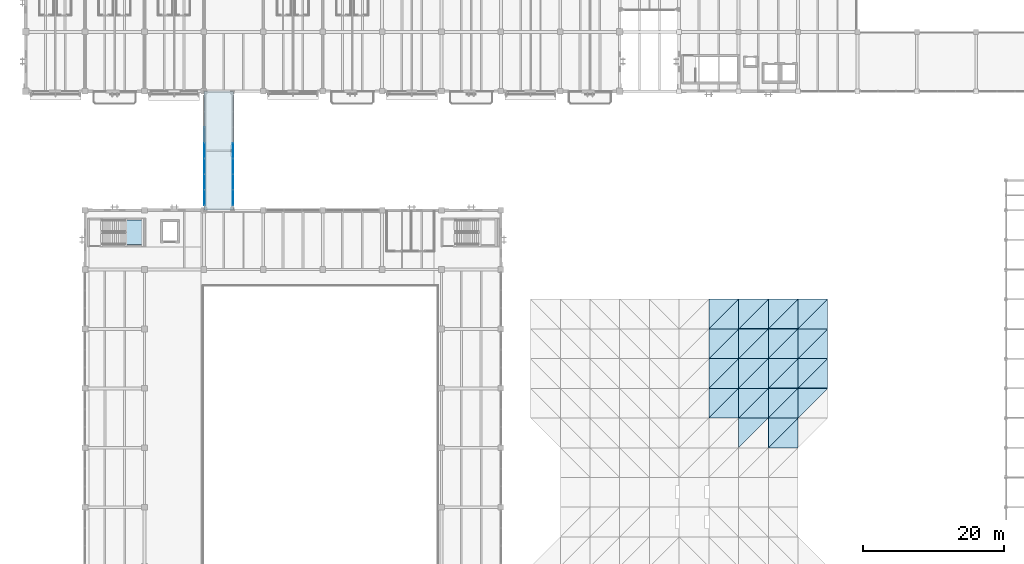
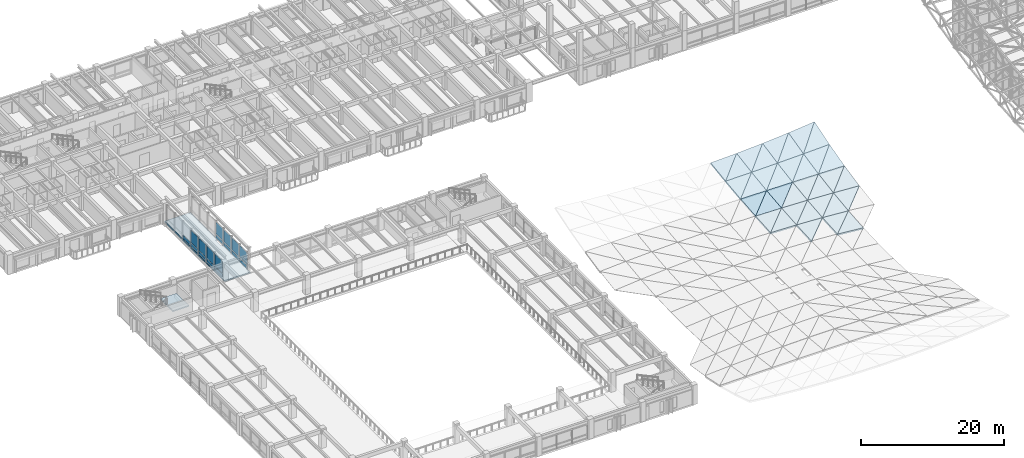
# One storey, part 66 of 123: 36 slabs, 17 plates, 3 elements without a shape of their own.
"""IFC4 building model written with IfcOpenShell, lengths in metres."""

from ifc_helpers import new_model, si_unit, direction, frame, origin, origin_2d, place, context, subcontext, project, spatial, polyline, rectangle, outline, extrude, material, layer, layer_set, type_object, element, aggregate, save


model = new_model("IFC4")

# Units and contexts
model_context = context("Model", 3, precision=1e-05, world=origin(), true_north=direction((0.0, 1.0)))
body_context = subcontext(model_context, "Body", "Model", "MODEL_VIEW")
ifc_project = project(units=[si_unit("LENGTHUNIT", "METRE"), si_unit("AREAUNIT", "SQUARE_METRE"), si_unit("VOLUMEUNIT", "CUBIC_METRE"), si_unit("PLANEANGLEUNIT", "RADIAN"), si_unit("MASSUNIT", "GRAM", prefix="KILO")], contexts=[model_context])

# Site, building, storey
site_placement = place(None, origin())
site = spatial("IfcSite", under=ifc_project, at=site_placement, CompositionType="ELEMENT")
building_placement = place(site_placement, origin())
building = spatial("IfcBuilding", under=site, at=building_placement, Name="Cumbredor Promenade Congress Hotel", CompositionType="ELEMENT")
storey_placement = place(building_placement, frame((0.0, 0.0, 11.760009765625)))
storey = spatial("IfcBuildingStorey", under=building, at=storey_placement, Name="L03", CompositionType="ELEMENT", Elevation=11.760009765625)

# Stair, slab
ifc_material_1 = material(Name="Concrete C40/50", Category="concrete")
stair_type = type_object("IfcStairType", Name="Protected Dog-Leg Exit Stair ST-T3 1650mm", PredefinedType="HALF_TURN_STAIR", material=ifc_material_1)
stair_placement = place(storey_placement, origin())
stair = element("IfcStair", 1, at=stair_placement, inside=storey, type_object=stair_type, Name="L03 Protected Exit Stair ST-06", PredefinedType="HALF_TURN_STAIR")
ifc_layer_1 = layer(ifc_material_1, 0.199951171875, Name="Concrete C40/50", Category="concrete")
ifc_layer_set_1 = layer_set([ifc_layer_1], Name="Concrete C40/50")
slab_type_1 = type_object("IfcSlabType", Name="Concrete Stair Landing Slab 200mm", PredefinedType="LANDING", material=ifc_layer_set_1)
slab_1_placement = place(storey_placement, frame((0.0, 0.0, 1.47998046875)))
slab_1 = element("IfcSlab", 2, at=slab_1_placement, type_object=slab_type_1, Name="ST-06 landing 1", PredefinedType="LANDING", context=body_context, shape_type="SweptSolid", body=[
    extrude(outline(polyline([(14.050048828125, 62.35009765625), (16.64990234375, 62.35009765625), (16.64990234375, 65.800048828125), (14.050048828125, 65.800048828125), (14.050048828125, 62.35009765625)])), origin(), (0.0, 0.0, 1.0), 0.199951171875),
])
aggregate(stair, [slab_1])

# Curtain wall, plates
ifc_material_2 = material(Name="Thermally broken anodized aluminium and low-E glass", Category="aluminium")
curtain_wall_type = type_object("IfcCurtainWallType", Name="Unitised Bridge Glazing Screen CW-05", PredefinedType="NOTDEFINED", material=ifc_material_2)
curtain_wall_1_placement = place(storey_placement, origin())
curtain_wall_1 = element("IfcCurtainWall", 3, at=curtain_wall_1_placement, inside=storey, type_object=curtain_wall_type, Name="L03 West Congress-to-Hotel Glazed Bridge West Glazing Screen", PredefinedType="NOTDEFINED")
ifc_material_3 = material(Name="Laminated low-E solar-control glass", Category="glass")
ifc_layer_2 = layer(ifc_material_3, 0.030029296875, Name="Laminated low-E solar-control glass", Category="glass")
ifc_layer_set_2 = layer_set([ifc_layer_2], Name="Laminated low-E solar-control glass")
plate_type_1 = type_object("IfcPlateType", Name="Glazed Bridge Panel PNL-04", PredefinedType="CURTAIN_PANEL", material=ifc_layer_set_2)
plate_1_placement = place(storey_placement, frame((25.280029296875, 68.9658203125, 0.78515625), z_axis=(0.0, 0.0, 1.0), x_axis=(0.0, 1.0, 0.0)))
plate_1 = element("IfcPlate", 4, at=plate_1_placement, type_object=plate_type_1, Name="L03 West Congress-to-Hotel Glazed Bridge West Glazing Screen Glazing Panel 1.2", PredefinedType="CURTAIN_PANEL", context=body_context, shape_type="SweptSolid", body=[
    extrude(rectangle(XDim=2.146484375, YDim=0.030029296875, at=origin_2d()), origin(), (0.0, 0.0, 1.0), 2.070068359375),
])
plate_2_placement = place(storey_placement, frame((25.280029296875, 71.177001953125, 0.78515625), z_axis=(0.0, 0.0, 1.0), x_axis=(0.0, 1.0, 0.0)))
plate_2 = element("IfcPlate", 5, at=plate_2_placement, type_object=plate_type_1, Name="L03 West Congress-to-Hotel Glazed Bridge West Glazing Screen Glazing Panel 2.2", PredefinedType="CURTAIN_PANEL", context=body_context, shape_type="SweptSolid", body=[
    extrude(rectangle(XDim=2.146484375, YDim=0.030029296875, at=origin_2d()), origin(), (0.0, 0.0, 1.0), 2.070068359375),
])
plate_3_placement = place(storey_placement, frame((25.280029296875, 73.388671875, 0.78515625), z_axis=(0.0, 0.0, 1.0), x_axis=(0.0, 1.0, 0.0)))
plate_3 = element("IfcPlate", 6, at=plate_3_placement, type_object=plate_type_1, Name="L03 West Congress-to-Hotel Glazed Bridge West Glazing Screen Glazing Panel 3.2", PredefinedType="CURTAIN_PANEL", context=body_context, shape_type="SweptSolid", body=[
    extrude(rectangle(XDim=2.146484375, YDim=0.030029296875, at=origin_2d()), origin(), (0.0, 0.0, 1.0), 2.070068359375),
])
plate_4_placement = place(storey_placement, frame((25.280029296875, 75.60009765625, 0.78515625), z_axis=(0.0, 0.0, 1.0), x_axis=(0.0, 1.0, 0.0)))
plate_4 = element("IfcPlate", 7, at=plate_4_placement, type_object=plate_type_1, Name="L03 West Congress-to-Hotel Glazed Bridge West Glazing Screen Glazing Panel 4.2", PredefinedType="CURTAIN_PANEL", context=body_context, shape_type="SweptSolid", body=[
    extrude(rectangle(XDim=2.146484375, YDim=0.030029296875, at=origin_2d()), origin(), (0.0, 0.0, 1.0), 2.070068359375),
])

curtain_wall_2_placement = place(storey_placement, origin())
curtain_wall_2 = element("IfcCurtainWall", 8, at=curtain_wall_2_placement, inside=storey, type_object=curtain_wall_type, Name="L03 West Congress-to-Hotel Glazed Bridge East Glazing Screen", PredefinedType="NOTDEFINED")
plate_5_placement = place(storey_placement, frame((29.320068359375, 68.9658203125, 0.78515625), z_axis=(0.0, 0.0, 1.0), x_axis=(0.0, 1.0, 0.0)))
plate_5 = element("IfcPlate", 9, at=plate_5_placement, type_object=plate_type_1, Name="L03 West Congress-to-Hotel Glazed Bridge East Glazing Screen Glazing Panel 1.2", PredefinedType="CURTAIN_PANEL", context=body_context, shape_type="SweptSolid", body=[
    extrude(rectangle(XDim=2.146484375, YDim=0.030029296875, at=origin_2d()), origin(), (0.0, 0.0, 1.0), 2.070068359375),
])
plate_6_placement = place(storey_placement, frame((29.320068359375, 71.177001953125, 0.78515625), z_axis=(0.0, 0.0, 1.0), x_axis=(0.0, 1.0, 0.0)))
plate_6 = element("IfcPlate", 10, at=plate_6_placement, type_object=plate_type_1, Name="L03 West Congress-to-Hotel Glazed Bridge East Glazing Screen Glazing Panel 2.2", PredefinedType="CURTAIN_PANEL", context=body_context, shape_type="SweptSolid", body=[
    extrude(rectangle(XDim=2.146484375, YDim=0.030029296875, at=origin_2d()), origin(), (0.0, 0.0, 1.0), 2.070068359375),
])
plate_7_placement = place(storey_placement, frame((29.320068359375, 73.388671875, 0.78515625), z_axis=(0.0, 0.0, 1.0), x_axis=(0.0, 1.0, 0.0)))
plate_7 = element("IfcPlate", 11, at=plate_7_placement, type_object=plate_type_1, Name="L03 West Congress-to-Hotel Glazed Bridge East Glazing Screen Glazing Panel 3.2", PredefinedType="CURTAIN_PANEL", context=body_context, shape_type="SweptSolid", body=[
    extrude(rectangle(XDim=2.146484375, YDim=0.030029296875, at=origin_2d()), origin(), (0.0, 0.0, 1.0), 2.070068359375),
])
plate_8_placement = place(storey_placement, frame((29.320068359375, 75.60009765625, 0.78515625), z_axis=(0.0, 0.0, 1.0), x_axis=(0.0, 1.0, 0.0)))
plate_8 = element("IfcPlate", 12, at=plate_8_placement, type_object=plate_type_1, Name="L03 West Congress-to-Hotel Glazed Bridge East Glazing Screen Glazing Panel 4.2", PredefinedType="CURTAIN_PANEL", context=body_context, shape_type="SweptSolid", body=[
    extrude(rectangle(XDim=2.146484375, YDim=0.030029296875, at=origin_2d()), origin(), (0.0, 0.0, 1.0), 2.070068359375),
])

# Plate
ifc_material_4 = material(Name="Thermally broken anodized aluminium", Category="aluminium")
ifc_layer_3 = layer(ifc_material_4, 0.0400390625, Name="Thermally broken anodized aluminium", Category="aluminium")
ifc_layer_set_3 = layer_set([ifc_layer_3], Name="Thermally broken anodized aluminium")
plate_type_2 = type_object("IfcPlateType", Name="Insulated Spandrel Panel PNL-06", PredefinedType="CURTAIN_PANEL", material=ifc_layer_set_3)
plate_9_placement = place(storey_placement, frame((25.280029296875, 68.9658203125, 0.125), z_axis=(0.0, 0.0, 1.0), x_axis=(0.0, 1.0, 0.0)))
plate_9 = element("IfcPlate", 13, at=plate_9_placement, type_object=plate_type_2, Name="L03 West Congress-to-Hotel Glazed Bridge West Glazing Screen Spandrel Panel 1.1", PredefinedType="CURTAIN_PANEL", context=body_context, shape_type="SweptSolid", body=[
    extrude(rectangle(XDim=2.146484375, YDim=0.0400390625, at=origin_2d()), origin(), (0.0, 0.0, 1.0), 0.530029296875),
])

plate_10_placement = place(storey_placement, frame((25.280029296875, 71.177001953125, 0.125), z_axis=(0.0, 0.0, 1.0), x_axis=(0.0, 1.0, 0.0)))
plate_10 = element("IfcPlate", 14, at=plate_10_placement, type_object=plate_type_2, Name="L03 West Congress-to-Hotel Glazed Bridge West Glazing Screen Spandrel Panel 2.1", PredefinedType="CURTAIN_PANEL", context=body_context, shape_type="SweptSolid", body=[
    extrude(rectangle(XDim=2.146484375, YDim=0.0400390625, at=origin_2d()), origin(), (0.0, 0.0, 1.0), 0.530029296875),
])

plate_11_placement = place(storey_placement, frame((25.280029296875, 73.388671875, 0.125), z_axis=(0.0, 0.0, 1.0), x_axis=(0.0, 1.0, 0.0)))
plate_11 = element("IfcPlate", 15, at=plate_11_placement, type_object=plate_type_2, Name="L03 West Congress-to-Hotel Glazed Bridge West Glazing Screen Spandrel Panel 3.1", PredefinedType="CURTAIN_PANEL", context=body_context, shape_type="SweptSolid", body=[
    extrude(rectangle(XDim=2.146484375, YDim=0.0400390625, at=origin_2d()), origin(), (0.0, 0.0, 1.0), 0.530029296875),
])

plate_12_placement = place(storey_placement, frame((25.280029296875, 75.60009765625, 0.125), z_axis=(0.0, 0.0, 1.0), x_axis=(0.0, 1.0, 0.0)))
plate_12 = element("IfcPlate", 16, at=plate_12_placement, type_object=plate_type_2, Name="L03 West Congress-to-Hotel Glazed Bridge West Glazing Screen Spandrel Panel 4.1", PredefinedType="CURTAIN_PANEL", context=body_context, shape_type="SweptSolid", body=[
    extrude(rectangle(XDim=2.146484375, YDim=0.0400390625, at=origin_2d()), origin(), (0.0, 0.0, 1.0), 0.530029296875),
])

plate_13_placement = place(storey_placement, frame((25.280029296875, 77.811279296875, 0.125), z_axis=(0.0, 0.0, 1.0), x_axis=(0.0, 1.0, 0.0)))
plate_13 = element("IfcPlate", 17, at=plate_13_placement, type_object=plate_type_2, Name="L03 West Congress-to-Hotel Glazed Bridge West Glazing Screen Spandrel Panel 5.1", PredefinedType="CURTAIN_PANEL", context=body_context, shape_type="SweptSolid", body=[
    extrude(rectangle(XDim=2.146484375, YDim=0.0400390625, at=origin_2d()), origin(), (0.0, 0.0, 1.0), 0.530029296875),
])

aggregate(curtain_wall_1, [plate_9, plate_1, plate_10, plate_2, plate_11, plate_3, plate_12, plate_4, plate_13])

plate_14_placement = place(storey_placement, frame((29.320068359375, 68.9658203125, 0.125), z_axis=(0.0, 0.0, 1.0), x_axis=(0.0, 1.0, 0.0)))
plate_14 = element("IfcPlate", 18, at=plate_14_placement, type_object=plate_type_2, Name="L03 West Congress-to-Hotel Glazed Bridge East Glazing Screen Spandrel Panel 1.1", PredefinedType="CURTAIN_PANEL", context=body_context, shape_type="SweptSolid", body=[
    extrude(rectangle(XDim=2.146484375, YDim=0.0400390625, at=origin_2d()), origin(), (0.0, 0.0, 1.0), 0.530029296875),
])

plate_15_placement = place(storey_placement, frame((29.320068359375, 71.177001953125, 0.125), z_axis=(0.0, 0.0, 1.0), x_axis=(0.0, 1.0, 0.0)))
plate_15 = element("IfcPlate", 19, at=plate_15_placement, type_object=plate_type_2, Name="L03 West Congress-to-Hotel Glazed Bridge East Glazing Screen Spandrel Panel 2.1", PredefinedType="CURTAIN_PANEL", context=body_context, shape_type="SweptSolid", body=[
    extrude(rectangle(XDim=2.146484375, YDim=0.0400390625, at=origin_2d()), origin(), (0.0, 0.0, 1.0), 0.530029296875),
])

plate_16_placement = place(storey_placement, frame((29.320068359375, 73.388671875, 0.125), z_axis=(0.0, 0.0, 1.0), x_axis=(0.0, 1.0, 0.0)))
plate_16 = element("IfcPlate", 20, at=plate_16_placement, type_object=plate_type_2, Name="L03 West Congress-to-Hotel Glazed Bridge East Glazing Screen Spandrel Panel 3.1", PredefinedType="CURTAIN_PANEL", context=body_context, shape_type="SweptSolid", body=[
    extrude(rectangle(XDim=2.146484375, YDim=0.0400390625, at=origin_2d()), origin(), (0.0, 0.0, 1.0), 0.530029296875),
])

plate_17_placement = place(storey_placement, frame((29.320068359375, 75.60009765625, 0.125), z_axis=(0.0, 0.0, 1.0), x_axis=(0.0, 1.0, 0.0)))
plate_17 = element("IfcPlate", 21, at=plate_17_placement, type_object=plate_type_2, Name="L03 West Congress-to-Hotel Glazed Bridge East Glazing Screen Spandrel Panel 4.1", PredefinedType="CURTAIN_PANEL", context=body_context, shape_type="SweptSolid", body=[
    extrude(rectangle(XDim=2.146484375, YDim=0.0400390625, at=origin_2d()), origin(), (0.0, 0.0, 1.0), 0.530029296875),
])

aggregate(curtain_wall_2, [plate_14, plate_5, plate_15, plate_6, plate_16, plate_7, plate_17, plate_8])

# Slabs
ifc_layer_4 = layer(ifc_material_1, 0.219970703125, Name="Concrete C40/50", Category="concrete")
ifc_layer_set_4 = layer_set([ifc_layer_4], Name="Concrete C40/50")
slab_type_2 = type_object("IfcSlabType", Name="Link Bridge Deck Slab 220mm", PredefinedType="FLOOR", material=ifc_layer_set_4)
slab_2_placement = place(storey_placement, frame((0.0, 0.0, -0.219970703125)))
element("IfcSlab", 22, at=slab_2_placement, inside=storey, type_object=slab_type_2, Name="L03 West Congress-to-Hotel Glazed Bridge Floor Deck", PredefinedType="FLOOR", context=body_context, shape_type="SweptSolid", body=[
    extrude(outline(polyline([(25.199951171875, 67.199951171875), (29.39990234375, 67.199951171875), (29.39990234375, 74.800048828125), (29.050048828125, 74.800048828125), (29.050048828125, 76.39990234375), (29.39990234375, 76.39990234375), (29.39990234375, 84.0), (25.199951171875, 84.0), (25.199951171875, 67.199951171875)])), origin(), (0.0, 0.0, 1.0), 0.219970703125),
])
ifc_layer_5 = layer(ifc_material_1, 0.2451171875, Name="Concrete C40/50", Category="concrete")
ifc_layer_set_5 = layer_set([ifc_layer_5], Name="Concrete C40/50")
slab_type_3 = type_object("IfcSlabType", Name="Spa Catenary Roof Deck 245mm", PredefinedType="ROOF", material=ifc_layer_set_5)
slab_3_placement = place(storey_placement, frame((96.60009765625, 37.800048828125, 0.99169921875), z_axis=(0.031269074977, -0.081878651885, 0.996151660801), x_axis=(0.999507701685, 0.0, -0.031374420677)))
element("IfcSlab", 23, at=slab_3_placement, inside=storey, type_object=slab_type_3, Name="Thermal Spa and Hydrotherapy Pavilion Sweeping Roof Deck Facet 7.10.1", PredefinedType="ROOF", context=body_context, shape_type="SweptSolid", body=[
    extrude(outline(polyline([(0.0, 0.0), (4.202019819152533, -1.734723475976807e-18), (4.191188903420709, 4.214100832413), (0.0, 0.0)])), origin(), (0.0, 0.0, -1.0), 0.2451171875),
])
slab_4_placement = place(storey_placement, frame((96.60009765625, 37.800048828125, 0.99169921875), z_axis=(0.020463395145, -0.071129138365, 0.997257186053), x_axis=(0.706650933896, 0.706650933896, 0.035901465804)))
element("IfcSlab", 24, at=slab_4_placement, inside=storey, type_object=slab_type_3, Name="Thermal Spa and Hydrotherapy Pavilion Sweeping Roof Deck Facet 7.10.2", PredefinedType="ROOF", context=body_context, shape_type="SweptSolid", body=[
    extrude(outline(polyline([(0.0, 0.0), (5.943459451354978, -3.0704605524789486e-16), (2.9786540806543256, 2.976062202841125), (0.0, 0.0)])), origin(), (0.0, 0.0, -1.0), 0.2451171875),
])
slab_5_placement = place(storey_placement, frame((96.60009765625, 42.0, 1.291259765625), z_axis=(0.020393220577, -0.108956413619, 0.993837318924), x_axis=(0.999789537892, 0.0, -0.020515358186)))
element("IfcSlab", 25, at=slab_5_placement, inside=storey, type_object=slab_type_3, Name="Thermal Spa and Hydrotherapy Pavilion Sweeping Roof Deck Facet 7.11.1", PredefinedType="ROOF", context=body_context, shape_type="SweptSolid", body=[
    extrude(outline(polyline([(0.0, 0.0), (4.200835288524772, -1.734723475976807e-18), (4.191389007875594, 4.2251052172654315), (0.0, 0.0)])), origin(), (0.0, 0.0, -1.0), 0.2451171875),
])
slab_6_placement = place(storey_placement, frame((96.60009765625, 42.0, 1.291259765625), z_axis=(0.005844663075, -0.094556232315, 0.995502365062), x_axis=(0.705707161596, 0.705707161596, 0.062887233548)))
element("IfcSlab", 26, at=slab_6_placement, inside=storey, type_object=slab_type_3, Name="Thermal Spa and Hydrotherapy Pavilion Sweeping Roof Deck Facet 7.11.2", PredefinedType="ROOF", context=body_context, shape_type="SweptSolid", body=[
    extrude(outline(polyline([(0.0, 0.0), (5.95140789328911, 2.5326962749261384e-16), (2.9890229591208577, 2.9773265482523916), (0.0, 0.0)])), origin(), (0.0, 0.0, -1.0), 0.2451171875),
])
slab_7_placement = place(storey_placement, frame((96.60009765625, 46.199951171875, 1.690185546875), z_axis=(0.005816583131, -0.135797059638, 0.990719600066), x_axis=(0.99998276572, 0.0, -0.005870967816)))
element("IfcSlab", 27, at=slab_7_placement, inside=storey, type_object=slab_type_3, Name="Thermal Spa and Hydrotherapy Pavilion Sweeping Roof Deck Facet 7.12.1", PredefinedType="ROOF", context=body_context, shape_type="SweptSolid", body=[
    extrude(outline(polyline([(0.0, 0.0), (4.20002355625722, 4.336808689942018e-19), (4.196643736406146, 4.239220449925302), (0.0, 0.0)])), origin(), (0.0, 0.0, -1.0), 0.2451171875),
])
slab_8_placement = place(storey_placement, frame((96.60009765625, 46.199951171875, 1.690185546875), z_axis=(-0.012294149294, -0.117977658011, 0.992940142256), x_axis=(0.704083438031, 0.704083438031, 0.092374371891)))
element("IfcSlab", 28, at=slab_8_placement, inside=storey, type_object=slab_type_3, Name="Thermal Spa and Hydrotherapy Pavilion Sweeping Roof Deck Facet 7.12.2", PredefinedType="ROOF", context=body_context, shape_type="SweptSolid", body=[
    extrude(outline(polyline([(0.0, 0.0), (5.965132745663068, 4.579669976578771e-16), (3.003213037251918, 2.9781413146774307), (0.0, 0.0)])), origin(), (0.0, 0.0, -1.0), 0.2451171875),
])
slab_9_placement = place(storey_placement, frame((96.60009765625, 50.39990234375, 2.189208984375), z_axis=(-0.012216570905, -0.162247278008, 0.986674503661), x_axis=(0.999923357281, 0.0, 0.012380612399)))
element("IfcSlab", 29, at=slab_9_placement, inside=storey, type_object=slab_type_3, Name="Thermal Spa and Hydrotherapy Pavilion Sweeping Roof Deck Facet 7.13.1", PredefinedType="ROOF", context=body_context, shape_type="SweptSolid", body=[
    extrude(outline(polyline([(0.0, 0.0), (4.200273092224242, 1.734723475976807e-18), (4.208824057184428, 4.256594634329427), (0.0, 0.0)])), origin(), (0.0, 0.0, -1.0), 0.2451171875),
])
slab_10_placement = place(storey_placement, frame((96.60009765625, 50.39990234375, 2.189208984375), z_axis=(-0.033875947566, -0.141074480883, 0.989419229154), x_axis=(0.701623104217, 0.701663889145, 0.124067748825)))
element("IfcSlab", 30, at=slab_10_placement, inside=storey, type_object=slab_type_3, Name="Thermal Spa and Hydrotherapy Pavilion Sweeping Roof Deck Facet 7.13.2", PredefinedType="ROOF", context=body_context, shape_type="SweptSolid", body=[
    extrude(outline(polyline([(0.0, 0.0), (5.986050269195579, 2.914335439641036e-16), (3.021426693533632, 2.97846856685339), (0.0, 0.0)])), origin(), (0.0, 0.0, -1.0), 0.2451171875),
])
slab_11_placement = place(storey_placement, frame((100.800048828125, 33.60009765625, 0.62939453125), z_axis=(0.052282348828, -0.054716781922, 0.997132202758), x_axis=(0.707105727493, 0.707105727493, 0.001726352413)))
element("IfcSlab", 31, at=slab_11_placement, inside=storey, type_object=slab_type_3, Name="Thermal Spa and Hydrotherapy Pavilion Sweeping Roof Deck Facet 8.9.2", PredefinedType="ROOF", context=body_context, shape_type="SweptSolid", body=[
    extrude(outline(polyline([(0.0, 0.0), (5.93963675950489, -2.806999424564971e-16), (2.97020739910715, 2.9783508351350894), (0.0, 0.0)])), origin(), (0.0, 0.0, -1.0), 0.2451171875),
])
slab_12_placement = place(storey_placement, frame((100.800048828125, 37.800048828125, 0.85986328125), z_axis=(0.052099032144, -0.099866104852, 0.993635975572), x_axis=(0.998628232976, 0.0, -0.052360789754)))
element("IfcSlab", 32, at=slab_12_placement, inside=storey, type_object=slab_type_3, Name="Thermal Spa and Hydrotherapy Pavilion Sweeping Roof Deck Facet 8.10.1", PredefinedType="ROOF", context=body_context, shape_type="SweptSolid", body=[
    extrude(outline(polyline([(0.0, 0.0), (4.2057204404884105, 0.0), (4.183617948914856, 4.221052699846617), (0.0, 0.0)])), origin(), (0.0, 0.0, -1.0), 0.2451171875),
])
slab_13_placement = place(storey_placement, frame((100.800048828125, 37.800048828125, 0.85986328125), z_axis=(0.033987624499, -0.081871381671, 0.996063209964), x_axis=(0.706698601416, 0.706698601416, 0.033973129301)))
element("IfcSlab", 33, at=slab_13_placement, inside=storey, type_object=slab_type_3, Name="Thermal Spa and Hydrotherapy Pavilion Sweeping Roof Deck Facet 8.10.2", PredefinedType="ROOF", context=body_context, shape_type="SweptSolid", body=[
    extrude(outline(polyline([(0.0, 0.0), (5.943058559139811, 7.28583859910259e-17), (2.979827647701247, 2.9798305865392383), (0.0, 0.0)])), origin(), (0.0, 0.0, -1.0), 0.2451171875),
])
slab_14_placement = place(storey_placement, frame((100.800048828125, 42.0, 1.205078125), z_axis=(0.033800401142, -0.132725595626, 0.990576321718), x_axis=(0.999418353939, 0.0, -0.034102108572)))
element("IfcSlab", 34, at=slab_14_placement, inside=storey, type_object=slab_type_3, Name="Thermal Spa and Hydrotherapy Pavilion Sweeping Roof Deck Facet 8.11.1", PredefinedType="ROOF", context=body_context, shape_type="SweptSolid", body=[
    extrude(outline(polyline([(0.0, 0.0), (4.202395478650219, 0.0), (4.183204716868423, 4.237440563430263), (0.0, 0.0)])), origin(), (0.0, 0.0, -1.0), 0.2451171875),
])
slab_15_placement = place(storey_placement, frame((100.800048828125, 42.0, 1.205078125), z_axis=(0.009707116848, -0.108973942705, 0.993997209098), x_axis=(0.705350304462, 0.705350304462, 0.070440726796)))
element("IfcSlab", 35, at=slab_15_placement, inside=storey, type_object=slab_type_3, Name="Thermal Spa and Hydrotherapy Pavilion Sweeping Roof Deck Facet 8.11.2", PredefinedType="ROOF", context=body_context, shape_type="SweptSolid", body=[
    extrude(outline(polyline([(0.0, 0.0), (5.954418882799095, 2.2898349882893854e-16), (2.994871215427651, 2.9803271183184874), (0.0, 0.0)])), origin(), (0.0, 0.0, -1.0), 0.2451171875),
])
slab_16_placement = place(storey_placement, frame((100.800048828125, 46.199951171875, 1.66552734375), z_axis=(0.009631159538, -0.165162920406, 0.986219270999), x_axis=(0.999952318586, 0.0, -0.00976527289)))
element("IfcSlab", 36, at=slab_16_placement, inside=storey, type_object=slab_type_3, Name="Thermal Spa and Hydrotherapy Pavilion Sweeping Roof Deck Facet 8.12.1", PredefinedType="ROOF", context=body_context, shape_type="SweptSolid", body=[
    extrude(outline(polyline([(0.0, 0.0), (4.200151441034993, -8.673617379884035e-19), (4.193282849434558, 4.258435254476362), (0.0, 0.0)])), origin(), (0.0, 0.0, -1.0), 0.2451171875),
])
slab_17_placement = place(storey_placement, frame((100.800048828125, 46.199951171875, 1.66552734375), z_axis=(-0.020440500208, -0.135770984479, 0.990529366412), x_axis=(0.702750773455, 0.702750773455, 0.11082734688)))
element("IfcSlab", 37, at=slab_17_placement, inside=storey, type_object=slab_type_3, Name="Thermal Spa and Hydrotherapy Pavilion Sweeping Roof Deck Facet 8.12.2", PredefinedType="ROOF", context=body_context, shape_type="SweptSolid", body=[
    extrude(outline(polyline([(0.0, 0.0), (5.976444751851152, 2.0816681711721685e-16), (3.015320419846652, 2.979738950294625), (0.0, 0.0)])), origin(), (0.0, 0.0, -1.0), 0.2451171875),
])
slab_18_placement = place(storey_placement, frame((100.800048828125, 50.39990234375, 2.2412109375), z_axis=(-0.020227388491, -0.196963429546, 0.980202152709), x_axis=(0.99978714706, 0.0, 0.020631543173)))
element("IfcSlab", 38, at=slab_18_placement, inside=storey, type_object=slab_type_3, Name="Thermal Spa and Hydrotherapy Pavilion Sweeping Roof Deck Facet 8.13.1", PredefinedType="ROOF", context=body_context, shape_type="SweptSolid", body=[
    extrude(outline(polyline([(0.0, 0.0), (4.20084533415502, 0.0), (4.218258235705141, 4.284117594489665), (0.0, 0.0)])), origin(), (0.0, 0.0, -1.0), 0.2451171875),
])
slab_19_placement = place(storey_placement, frame((100.800048828125, 50.39990234375, 2.2412109375), z_axis=(-0.056294555694, -0.162002076363, 0.985183358697), x_axis=(0.698563536249, 0.698604143325, 0.154794175445)))
element("IfcSlab", 39, at=slab_19_placement, inside=storey, type_object=slab_type_3, Name="Thermal Spa and Hydrotherapy Pavilion Sweeping Roof Deck Facet 8.13.2", PredefinedType="ROOF", context=body_context, shape_type="SweptSolid", body=[
    extrude(outline(polyline([(0.0, 0.0), (6.012267966958073, -3.0531133177191805e-16), (3.04118613381487, 2.9782306659317), (0.0, 0.0)])), origin(), (0.0, 0.0, -1.0), 0.2451171875),
])
slab_20_placement = place(storey_placement, frame((105.0, 33.60009765625, 0.3583984375), z_axis=(0.089767614884, -0.083421575271, 0.992462904142), x_axis=(0.995934387325, 0.0, -0.090081608247)))
element("IfcSlab", 40, at=slab_20_placement, inside=storey, type_object=slab_type_3, Name="Thermal Spa and Hydrotherapy Pavilion Sweeping Roof Deck Facet 9.9.1", PredefinedType="ROOF", context=body_context, shape_type="SweptSolid", body=[
    extrude(outline(polyline([(0.0, 0.0), (4.2170962518499735, 0.0), (4.185294980969727, 4.214641957597319), (0.0, 0.0)])), origin(), (0.0, 0.0, -1.0), 0.2451171875),
])
slab_21_placement = place(storey_placement, frame((105.0, 33.60009765625, 0.3583984375), z_axis=(0.073000075678, -0.066637153076, 0.995103250312), x_axis=(0.707099553566, 0.707099553566, -0.004521359698)))
element("IfcSlab", 41, at=slab_21_placement, inside=storey, type_object=slab_type_3, Name="Thermal Spa and Hydrotherapy Pavilion Sweeping Roof Deck Facet 9.9.2", PredefinedType="ROOF", context=body_context, shape_type="SweptSolid", body=[
    extrude(outline(polyline([(0.0, 0.0), (5.939688620497725, 7.168744764474155e-16), (2.968511966216632, 2.9843974458947087), (0.0, 0.0)])), origin(), (0.0, 0.0, -1.0), 0.2451171875),
])
slab_22_placement = place(storey_placement, frame((105.0, 37.800048828125, 0.6396484375), z_axis=(0.072591572305, -0.124705648778, 0.989534721368), x_axis=(0.997320018789, 0.0, -0.073162696257)))
element("IfcSlab", 42, at=slab_22_placement, inside=storey, type_object=slab_type_3, Name="Thermal Spa and Hydrotherapy Pavilion Sweeping Roof Deck Facet 9.10.1", PredefinedType="ROOF", context=body_context, shape_type="SweptSolid", body=[
    extrude(outline(polyline([(0.0, 0.0), (4.211237208470671, 0.0), (4.172512421975205, 4.23299485222104), (0.0, 0.0)])), origin(), (0.0, 0.0, -1.0), 0.2451171875),
])
slab_23_placement = place(storey_placement, frame((105.0, 37.800048828125, 0.6396484375), z_axis=(0.047546844319, -0.099888813886, 0.993861923235), x_axis=(0.706616978007, 0.706616978007, 0.037214147653)))
element("IfcSlab", 43, at=slab_23_placement, inside=storey, type_object=slab_type_3, Name="Thermal Spa and Hydrotherapy Pavilion Sweeping Roof Deck Facet 9.10.2", PredefinedType="ROOF", context=body_context, shape_type="SweptSolid", body=[
    extrude(outline(polyline([(0.0, 0.0), (5.943745059343244, -1.8041124150158794e-16), (2.983465608872107, 2.9860856276559717), (0.0, 0.0)])), origin(), (0.0, 0.0, -1.0), 0.2451171875),
])
slab_24_placement = place(storey_placement, frame((105.0, 42.0, 1.061767578125), z_axis=(0.047126063418, -0.165599727101, 0.985066426456), x_axis=(0.998857604206, 0.0, -0.047785840159)))
element("IfcSlab", 44, at=slab_24_placement, inside=storey, type_object=slab_type_3, Name="Thermal Spa and Hydrotherapy Pavilion Sweeping Roof Deck Facet 9.11.1", PredefinedType="ROOF", context=body_context, shape_type="SweptSolid", body=[
    extrude(outline(polyline([(0.0, 0.0), (4.204754665919911, 0.0), (4.171015249479264, 4.258751544719785), (0.0, 0.0)])), origin(), (0.0, 0.0, -1.0), 0.2451171875),
])
slab_25_placement = place(storey_placement, frame((105.0, 42.0, 1.061767578125), z_axis=(0.01359577095, -0.132789203556, 0.991051049357), x_axis=(0.704563527737, 0.704563527737, 0.084737658483)))
element("IfcSlab", 45, at=slab_25_placement, inside=storey, type_object=slab_type_3, Name="Thermal Spa and Hydrotherapy Pavilion Sweeping Roof Deck Facet 9.11.2", PredefinedType="ROOF", context=body_context, shape_type="SweptSolid", body=[
    extrude(outline(polyline([(0.0, 0.0), (5.961068103204468, 1.6653345369377348e-16), (3.0068180347816837, 2.98585266208056), (0.0, 0.0)])), origin(), (0.0, 0.0, -1.0), 0.2451171875),
])
slab_26_placement = place(storey_placement, frame((105.0, 46.199951171875, 1.62451171875), z_axis=(0.013424269813, -0.205573352129, 0.978549633833), x_axis=(0.999905914145, 0.0, -0.013717246744)))
element("IfcSlab", 46, at=slab_26_placement, inside=storey, type_object=slab_type_3, Name="Thermal Spa and Hydrotherapy Pavilion Sweeping Roof Deck Facet 9.12.1", PredefinedType="ROOF", context=body_context, shape_type="SweptSolid", body=[
    extrude(outline(polyline([(0.0, 0.0), (4.2003463650548625, 0.0), (4.188243306038003, 4.291612679295445), (0.0, 0.0)])), origin(), (0.0, 0.0, -1.0), 0.2451171875),
])
slab_27_placement = place(storey_placement, frame((105.0, 46.199951171875, 1.62451171875), z_axis=(-0.028481942239, -0.165103572615, 0.985864894028), x_axis=(0.700387679443, 0.700387679443, 0.137528895028)))
element("IfcSlab", 47, at=slab_27_placement, inside=storey, type_object=slab_type_3, Name="Thermal Spa and Hydrotherapy Pavilion Sweeping Roof Deck Facet 9.12.2", PredefinedType="ROOF", context=body_context, shape_type="SweptSolid", body=[
    extrude(outline(polyline([(0.0, 0.0), (5.99660915682034, 1.5265566588595902e-16), (3.038327635752192, 2.983769959621926), (0.0, 0.0)])), origin(), (0.0, 0.0, -1.0), 0.2451171875),
])
slab_28_placement = place(storey_placement, frame((105.0, 50.39990234375, 2.327880859375), z_axis=(-0.0280028843, -0.24434899374, 0.969282934818), x_axis=(0.999582936058, 0.0, 0.028878260723)))
element("IfcSlab", 48, at=slab_28_placement, inside=storey, type_object=slab_type_3, Name="Thermal Spa and Hydrotherapy Pavilion Sweeping Roof Deck Facet 9.13.1", PredefinedType="ROOF", context=body_context, shape_type="SweptSolid", body=[
    extrude(outline(polyline([(0.0, 0.0), (4.20170355092259, -3.469446951953614e-18), (4.232280947591628, 4.33149435698387), (0.0, 0.0)])), origin(), (0.0, 0.0, -1.0), 0.2451171875),
])
slab_29_placement = place(storey_placement, frame((105.0, 50.39990234375, 2.327880859375), z_axis=(-0.078234999777, -0.196399908178, 0.977397749577), x_axis=(0.693529329702, 0.693569644143, 0.194880008125)))
element("IfcSlab", 49, at=slab_29_placement, inside=storey, type_object=slab_type_3, Name="Thermal Spa and Hydrotherapy Pavilion Sweeping Roof Deck Facet 9.13.2", PredefinedType="ROOF", context=body_context, shape_type="SweptSolid", body=[
    extrude(outline(polyline([(0.0, 0.0), (6.055909955071179, -7.771561172376096e-16), (3.0776055532038447, 2.980320592058036), (0.0, 0.0)])), origin(), (0.0, 0.0, -1.0), 0.2451171875),
])
slab_30_placement = place(storey_placement, frame((109.199951171875, 37.800048828125, 0.33154296875), z_axis=(0.060847629128, -0.124803841012, 0.990313873122), x_axis=(0.706370631486, 0.706370631486, 0.045618657884)))
element("IfcSlab", 50, at=slab_30_placement, inside=storey, type_object=slab_type_3, Name="Thermal Spa and Hydrotherapy Pavilion Sweeping Roof Deck Facet 10.10.2", PredefinedType="ROOF", context=body_context, shape_type="SweptSolid", body=[
    extrude(outline(polyline([(0.0, 0.0), (5.945817938434727, 3.0531133177191805e-16), (2.99086797454896, 2.9957392721724556), (0.0, 0.0)])), origin(), (0.0, 0.0, -1.0), 0.2451171875),
])
slab_31_placement = place(storey_placement, frame((109.199951171875, 42.0, 0.86083984375), z_axis=(0.060000044606, -0.206906492516, 0.976519174416), x_axis=(0.99811772074, 0.0, -0.061327119155)))
element("IfcSlab", 51, at=slab_31_placement, inside=storey, type_object=slab_type_3, Name="Thermal Spa and Hydrotherapy Pavilion Sweeping Roof Deck Facet 10.11.1", PredefinedType="ROOF", context=body_context, shape_type="SweptSolid", body=[
    extrude(outline(polyline([(0.0, 0.0), (4.207871561241484, 0.0), (4.153297013067703, 4.292845241262229), (0.0, 0.0)])), origin(), (0.0, 0.0, -1.0), 0.2451171875),
])
slab_32_placement = place(storey_placement, frame((109.199951171875, 42.0, 0.86083984375), z_axis=(0.017424156644, -0.165758753338, 0.98601239062), x_axis=(0.703139633921, 0.703139633921, 0.105779536859)))
element("IfcSlab", 52, at=slab_32_placement, inside=storey, type_object=slab_type_3, Name="Thermal Spa and Hydrotherapy Pavilion Sweeping Roof Deck Facet 10.11.2", PredefinedType="ROOF", context=body_context, shape_type="SweptSolid", body=[
    extrude(outline(polyline([(0.0, 0.0), (5.973139571798476, -5.551115123125783e-17), (3.0278382673203676, 2.9950456582204725), (0.0, 0.0)])), origin(), (0.0, 0.0, -1.0), 0.2451171875),
])
slab_33_placement = place(storey_placement, frame((109.199951171875, 46.199951171875, 1.56689453125), z_axis=(0.017079924992, -0.255974139018, 0.966532729045), x_axis=(0.999843898494, 0.0, -0.017668577873)))
element("IfcSlab", 53, at=slab_33_placement, inside=storey, type_object=slab_type_3, Name="Thermal Spa and Hydrotherapy Pavilion Sweeping Roof Deck Facet 10.12.1", PredefinedType="ROOF", context=body_context, shape_type="SweptSolid", body=[
    extrude(outline(polyline([(0.0, 0.0), (4.200606892936514, 3.469446951953614e-18), (4.18095405094737, 4.344700833172568), (0.0, 0.0)])), origin(), (0.0, 0.0, -1.0), 0.2451171875),
])
slab_34_placement = place(storey_placement, frame((109.199951171875, 46.199951171875, 1.56689453125), z_axis=(-0.03627042373, -0.205456600876, 0.977993886238), x_axis=(0.696548567218, 0.696548567218, 0.172163256863)))
element("IfcSlab", 54, at=slab_34_placement, inside=storey, type_object=slab_type_3, Name="Thermal Spa and Hydrotherapy Pavilion Sweeping Roof Deck Facet 10.12.2", PredefinedType="ROOF", context=body_context, shape_type="SweptSolid", body=[
    extrude(outline(polyline([(0.0, 0.0), (6.029660198212138, 2.0816681711721685e-16), (3.0773737822632463, 2.99129678857946), (0.0, 0.0)])), origin(), (0.0, 0.0, -1.0), 0.2451171875),
])
slab_35_placement = place(storey_placement, frame((109.199951171875, 50.39990234375, 2.44921875), z_axis=(-0.035322238058, -0.302712807403, 0.952427055334), x_axis=(0.999313002329, 0.0, 0.037061076294)))
element("IfcSlab", 55, at=slab_35_placement, inside=storey, type_object=slab_type_3, Name="Thermal Spa and Hydrotherapy Pavilion Sweeping Roof Deck Facet 10.13.1", PredefinedType="ROOF", context=body_context, shape_type="SweptSolid", body=[
    extrude(outline(polyline([(0.0, 0.0), (4.202838512144161, -6.938893903907228e-18), (4.252313601298378, 4.406961944849426), (0.0, 0.0)])), origin(), (0.0, 0.0, -1.0), 0.2451171875),
])
slab_36_placement = place(storey_placement, frame((109.199951171875, 50.39990234375, 2.44921875), z_axis=(-0.099219323878, -0.243238663203, 0.964878478614), x_axis=(0.685817291618, 0.685857157763, 0.24342268108)))
element("IfcSlab", 56, at=slab_36_placement, inside=storey, type_object=slab_type_3, Name="Thermal Spa and Hydrotherapy Pavilion Sweeping Roof Deck Facet 10.13.2", PredefinedType="ROOF", context=body_context, shape_type="SweptSolid", body=[
    extrude(outline(polyline([(0.0, 0.0), (6.12400886243139, -2.498001805406602e-16), (3.138479177243834, 2.9854190318575107), (0.0, 0.0)])), origin(), (0.0, 0.0, -1.0), 0.2451171875),
])

save(model, "model.ifc")
